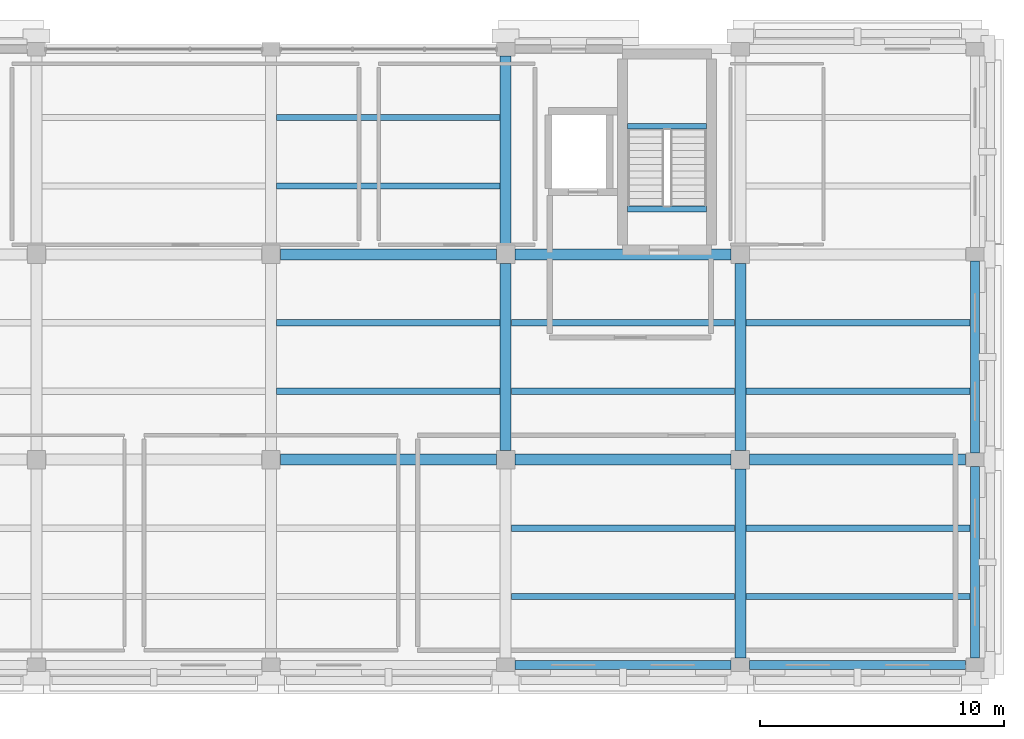
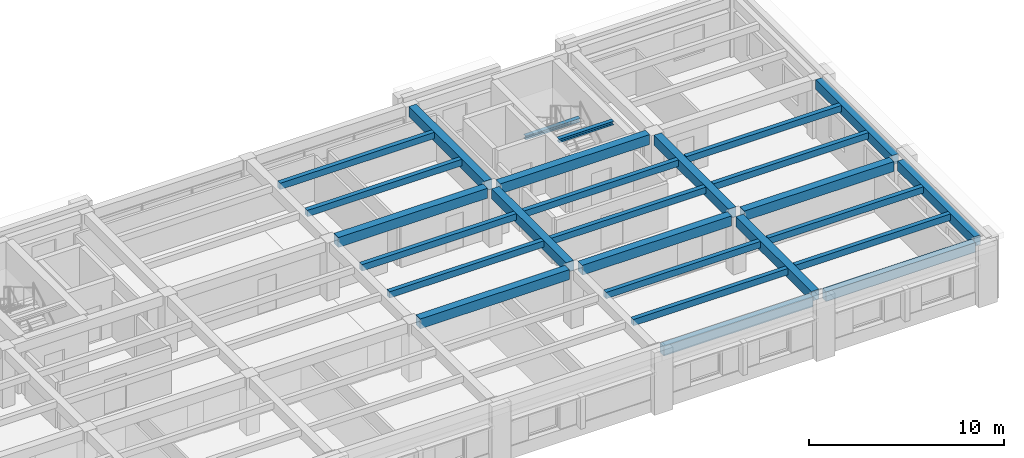
# One storey, part 3 of 12: 27 beams.
"""IFC4 building model written with IfcOpenShell, lengths in metres."""

from ifc_helpers import new_model, si_unit, direction, frame, origin, origin_2d, place, context, subcontext, project, spatial, rectangle, i_section, extrude, material, material_profile, profile_set, type_object, element, save


model = new_model("IFC4")

# Units and contexts
model_context = context("Model", 3, precision=1e-05, world=origin(), true_north=direction((0.0, 1.0)))
body_context = subcontext(model_context, "Body", "Model", "MODEL_VIEW")
ifc_project = project(units=[si_unit("LENGTHUNIT", "METRE"), si_unit("AREAUNIT", "SQUARE_METRE"), si_unit("VOLUMEUNIT", "CUBIC_METRE"), si_unit("PLANEANGLEUNIT", "RADIAN"), si_unit("MASSUNIT", "GRAM", prefix="KILO")], contexts=[model_context])

# Site, building, storey
site_placement = place(None, origin())
site = spatial("IfcSite", under=ifc_project, at=site_placement, CompositionType="ELEMENT")
building_placement = place(site_placement, origin())
building = spatial("IfcBuilding", under=site, at=building_placement, Name="Bempovik Park Faculty of Sciences", CompositionType="ELEMENT")
storey_placement = place(building_placement, frame((0.0, 0.0, 34.5)))
storey = spatial("IfcBuildingStorey", under=building, at=storey_placement, Name="L08", CompositionType="ELEMENT", Elevation=34.5)

# Beams
ifc_material_1 = material(Name="Concrete C35/45", Category="concrete")
ifc_material_profile_1 = material_profile(ifc_material_1, rectangle(XDim=0.3798828125, YDim=0.60009765625, at=origin_2d()), Name="RC 380x600")
ifc_profile_set_1 = profile_set([ifc_material_profile_1], Name="Concrete C35/45")
beam_type_1 = type_object("IfcBeamType", Name="B-032 RC 380x600", PredefinedType="SPANDREL", material=ifc_profile_set_1)
for number, where, z_axis, x_axis, name in (
    (1, (98.781005859375, 94.199951171875, 3.320068359375), (1.0, 0.0, 0.0), (0.0, 1.0, 0.0), "L08 Beam X (98.4-108.0, y=94.2)"),
    (2, (108.381103515625, 94.199951171875, 3.360107421875), (1.0, 0.0, 0.0), (0.0, 1.0, 0.0), "L08 Beam X (108.0-117.6, y=94.2)"),
):
    element("IfcBeam", number, at=place(storey_placement, frame(where, z_axis=z_axis, x_axis=x_axis)), inside=storey, type_object=beam_type_1, Name=name, PredefinedType="SPANDREL", context=body_context, shape_type="SweptSolid", body=[
        extrude(rectangle(XDim=0.3798828125, YDim=0.60009765625, at=origin_2d()), origin(), (0.0, 0.0, 1.0), 8.837890625),
    ])
beam_1_placement = place(storey_placement, frame((117.60009765625, 94.48095703125, 3.360107421875), z_axis=(0.0, 1.0, 0.0), x_axis=(-1.0, 0.0, 0.0)))
element("IfcBeam", 3, at=beam_1_placement, inside=storey, type_object=beam_type_1, Name="L08 Beam Y (x=117.6, 94.2-102.6)", PredefinedType="SPANDREL", context=body_context, shape_type="SweptSolid", body=[
    extrude(rectangle(XDim=0.3798828125, YDim=0.60009765625, at=origin_2d()), origin(), (0.0, 0.0, 1.0), 7.838134765625),
])
beam_2_placement = place(storey_placement, frame((117.60009765625, 102.881103515625, 3.360107421875), z_axis=(0.0, 1.0, 0.0), x_axis=(-1.0, 0.0, 0.0)))
element("IfcBeam", 4, at=beam_2_placement, inside=storey, type_object=beam_type_1, Name="L08 Beam Y (x=117.6, 102.6-111.0)", PredefinedType="SPANDREL", context=body_context, shape_type="SweptSolid", body=[
    extrude(rectangle(XDim=0.3798828125, YDim=0.60009765625, at=origin_2d()), origin(), (0.0, 0.0, 1.0), 7.837890625),
])
ifc_material_profile_2 = material_profile(ifc_material_1, rectangle(XDim=0.260009765625, YDim=0.39990234375, at=origin_2d()), Name="RC 260x400")
ifc_profile_set_2 = profile_set([ifc_material_profile_2], Name="Concrete C35/45")
beam_type_2 = type_object("IfcBeamType", Name="B-063 RC 260x400", PredefinedType="JOIST", material=ifc_profile_set_2)
for number, where, z_axis, x_axis, name in (
    (5, (89.031005859375, 105.39990234375, 3.419921875), (1.0, 0.0, 0.0), (0.0, 1.0, 0.0), "L08 Secondary Joist (88.8-98.4, y=105.40)"),
    (6, (89.031005859375, 108.199951171875, 3.419921875), (1.0, 0.0, 0.0), (0.0, 1.0, 0.0), "L08 Secondary Joist (88.8-98.4, y=108.20)"),
    (7, (89.031005859375, 113.800048828125, 3.419921875), (1.0, 0.0, 0.0), (0.0, 1.0, 0.0), "L08 Secondary Joist (88.8-98.4, y=113.80)"),
    (8, (89.031005859375, 116.60009765625, 3.419921875), (1.0, 0.0, 0.0), (0.0, 1.0, 0.0), "L08 Secondary Joist (88.8-98.4, y=116.60)"),
    (9, (98.631103515625, 97.0, 3.419921875), (1.0, 0.0, 0.0), (0.0, 1.0, 0.0), "L08 Secondary Joist (98.4-108.0, y=97.00)"),
    (10, (98.631103515625, 99.800048828125, 3.419921875), (1.0, 0.0, 0.0), (0.0, 1.0, 0.0), "L08 Secondary Joist (98.4-108.0, y=99.80)"),
    (11, (98.631103515625, 105.39990234375, 3.419921875), (1.0, 0.0, 0.0), (0.0, 1.0, 0.0), "L08 Secondary Joist (98.4-108.0, y=105.40)"),
    (12, (98.631103515625, 108.199951171875, 3.419921875), (1.0, 0.0, 0.0), (0.0, 1.0, 0.0), "L08 Secondary Joist (98.4-108.0, y=108.20)"),
):
    element("IfcBeam", number, at=place(storey_placement, frame(where, z_axis=z_axis, x_axis=x_axis)), inside=storey, type_object=beam_type_2, Name=name, PredefinedType="JOIST", context=body_context, shape_type="SweptSolid", body=[
        extrude(rectangle(XDim=0.260009765625, YDim=0.39990234375, at=origin_2d()), origin(), (0.0, 0.0, 1.0), 9.137939453125),
    ])
for number, where, z_axis, x_axis, name in (
    (13, (108.23095703125, 97.0, 3.4599609375), (1.0, 0.0, 0.0), (0.0, 1.0, 0.0), "L08 Secondary Joist (108.0-117.6, y=97.00)"),
    (14, (108.23095703125, 99.800048828125, 3.4599609375), (1.0, 0.0, 0.0), (0.0, 1.0, 0.0), "L08 Secondary Joist (108.0-117.6, y=99.80)"),
    (15, (108.23095703125, 105.39990234375, 3.4599609375), (1.0, 0.0, 0.0), (0.0, 1.0, 0.0), "L08 Secondary Joist (108.0-117.6, y=105.40)"),
    (16, (108.23095703125, 108.199951171875, 3.4599609375), (1.0, 0.0, 0.0), (0.0, 1.0, 0.0), "L08 Secondary Joist (108.0-117.6, y=108.20)"),
):
    element("IfcBeam", number, at=place(storey_placement, frame(where, z_axis=z_axis, x_axis=x_axis)), inside=storey, type_object=beam_type_2, Name=name, PredefinedType="JOIST", context=body_context, shape_type="SweptSolid", body=[
        extrude(rectangle(XDim=0.260009765625, YDim=0.39990234375, at=origin_2d()), origin(), (0.0, 0.0, 1.0), 9.173095703125),
    ])
ifc_material_2 = material(Name="Steel S355", Category="steel")
ifc_material_profile_3 = material_profile(ifc_material_2, i_section(OverallWidth=0.239990234375, OverallDepth=0.22998046875, WebThickness=0.007568359375, FlangeThickness=0.011962890625, at=origin_2d()), Name="HEA 240")
ifc_profile_set_3 = profile_set([ifc_material_profile_3], Name="Steel S355")
beam_type_3 = type_object("IfcBeamType", Name="B-070 HEA 240", PredefinedType="BEAM", material=ifc_profile_set_3)
for number, where, z_axis, x_axis, name in (
    (17, (103.381103515625, 116.24365234375, 1.635009765625), (1.0, 0.0, 0.0), (0.0, 1.0, 0.0), "L08 ST-2 Half-Landing Trimmer Beam"),
    (18, (103.381103515625, 112.85009765625, 3.5048828125), (1.0, 0.0, 0.0), (0.0, 1.0, 0.0), "L09 ST-2 Floor Landing Trimmer Beam"),
):
    element("IfcBeam", number, at=place(storey_placement, frame(where, z_axis=z_axis, x_axis=x_axis)), inside=storey, type_object=beam_type_3, Name=name, PredefinedType="BEAM", context=body_context, shape_type="SweptSolid", body=[
        extrude(i_section(OverallWidth=0.239990234375, OverallDepth=0.22998046875, WebThickness=0.007568359375, FlangeThickness=0.011962890625, at=origin_2d()), origin(), (0.0, 0.0, 1.0), 3.23779296875),
    ])
ifc_material_profile_4 = material_profile(ifc_material_1, rectangle(XDim=0.449951171875, YDim=0.6201171875, at=origin_2d()), Name="RC 450x620")
ifc_profile_set_4 = profile_set([ifc_material_profile_4], Name="Concrete C35/45")
beam_type_4 = type_object("IfcBeamType", Name="B-114 RC 450x620", PredefinedType="BEAM", material=ifc_profile_set_4)
beam_3_placement = place(storey_placement, frame((89.180908203125, 102.60009765625, 3.31005859375), z_axis=(1.0, 0.0, 0.0), x_axis=(0.0, 1.0, 0.0)))
element("IfcBeam", 19, at=beam_3_placement, inside=storey, type_object=beam_type_4, Name="L08 Beam X (88.8-98.4, y=102.6)", PredefinedType="BEAM", context=body_context, shape_type="SweptSolid", body=[
    extrude(rectangle(XDim=0.449951171875, YDim=0.6201171875, at=origin_2d()), origin(), (0.0, 0.0, 1.0), 8.838134765625),
])
for number, where, z_axis, x_axis, name in (
    (20, (98.781005859375, 102.60009765625, 3.31005859375), (1.0, 0.0, 0.0), (0.0, 1.0, 0.0), "L08 Beam X (98.4-108.0, y=102.6)"),
    (21, (108.381103515625, 102.60009765625, 3.35009765625), (1.0, 0.0, 0.0), (0.0, 1.0, 0.0), "L08 Beam X (108.0-117.6, y=102.6)"),
):
    element("IfcBeam", number, at=place(storey_placement, frame(where, z_axis=z_axis, x_axis=x_axis)), inside=storey, type_object=beam_type_4, Name=name, PredefinedType="BEAM", context=body_context, shape_type="SweptSolid", body=[
        extrude(rectangle(XDim=0.449951171875, YDim=0.6201171875, at=origin_2d()), origin(), (0.0, 0.0, 1.0), 8.837890625),
    ])
beam_4_placement = place(storey_placement, frame((89.180908203125, 111.0, 3.31005859375), z_axis=(1.0, 0.0, 0.0), x_axis=(0.0, 1.0, 0.0)))
element("IfcBeam", 22, at=beam_4_placement, inside=storey, type_object=beam_type_4, Name="L08 Beam X (88.8-98.4, y=111.0)", PredefinedType="BEAM", context=body_context, shape_type="SweptSolid", body=[
    extrude(rectangle(XDim=0.449951171875, YDim=0.6201171875, at=origin_2d()), origin(), (0.0, 0.0, 1.0), 8.838134765625),
])
beam_5_placement = place(storey_placement, frame((98.781005859375, 111.0, 3.31005859375), z_axis=(1.0, 0.0, 0.0), x_axis=(0.0, 1.0, 0.0)))
element("IfcBeam", 23, at=beam_5_placement, inside=storey, type_object=beam_type_4, Name="L08 Beam X (98.4-108.0, y=111.0)", PredefinedType="BEAM", context=body_context, shape_type="SweptSolid", body=[
    extrude(rectangle(XDim=0.449951171875, YDim=0.6201171875, at=origin_2d()), origin(), (0.0, 0.0, 1.0), 8.837890625),
])
beam_6_placement = place(storey_placement, frame((98.39990234375, 102.98095703125, 3.31005859375), z_axis=(0.0, 1.0, 0.0), x_axis=(-1.0, 0.0, 0.0)))
element("IfcBeam", 24, at=beam_6_placement, inside=storey, type_object=beam_type_4, Name="L08 Beam Y (x=98.4, 102.6-111.0)", PredefinedType="BEAM", context=body_context, shape_type="SweptSolid", body=[
    extrude(rectangle(XDim=0.449951171875, YDim=0.6201171875, at=origin_2d()), origin(), (0.0, 0.0, 1.0), 7.637939453125),
])
beam_7_placement = place(storey_placement, frame((98.39990234375, 111.381103515625, 3.31005859375), z_axis=(0.0, 1.0, 0.0), x_axis=(-1.0, 0.0, 0.0)))
element("IfcBeam", 25, at=beam_7_placement, inside=storey, type_object=beam_type_4, Name="L08 Beam Y (x=98.4, 111.0-119.4)", PredefinedType="BEAM", context=body_context, shape_type="SweptSolid", body=[
    extrude(rectangle(XDim=0.449951171875, YDim=0.6201171875, at=origin_2d()), origin(), (0.0, 0.0, 1.0), 7.73779296875),
])
beam_8_placement = place(storey_placement, frame((108.0, 94.48095703125, 3.31005859375), z_axis=(0.0, 1.0, 0.0), x_axis=(-1.0, 0.0, 0.0)))
element("IfcBeam", 26, at=beam_8_placement, inside=storey, type_object=beam_type_4, Name="L08 Beam Y (x=108.0, 94.2-102.6)", PredefinedType="BEAM", context=body_context, shape_type="SweptSolid", body=[
    extrude(rectangle(XDim=0.449951171875, YDim=0.6201171875, at=origin_2d()), origin(), (0.0, 0.0, 1.0), 7.738037109375),
])
beam_9_placement = place(storey_placement, frame((108.0, 102.98095703125, 3.31005859375), z_axis=(0.0, 1.0, 0.0), x_axis=(-1.0, 0.0, 0.0)))
element("IfcBeam", 27, at=beam_9_placement, inside=storey, type_object=beam_type_4, Name="L08 Beam Y (x=108.0, 102.6-111.0)", PredefinedType="BEAM", context=body_context, shape_type="SweptSolid", body=[
    extrude(rectangle(XDim=0.449951171875, YDim=0.6201171875, at=origin_2d()), origin(), (0.0, 0.0, 1.0), 7.637939453125),
])

save(model, "model.ifc")
